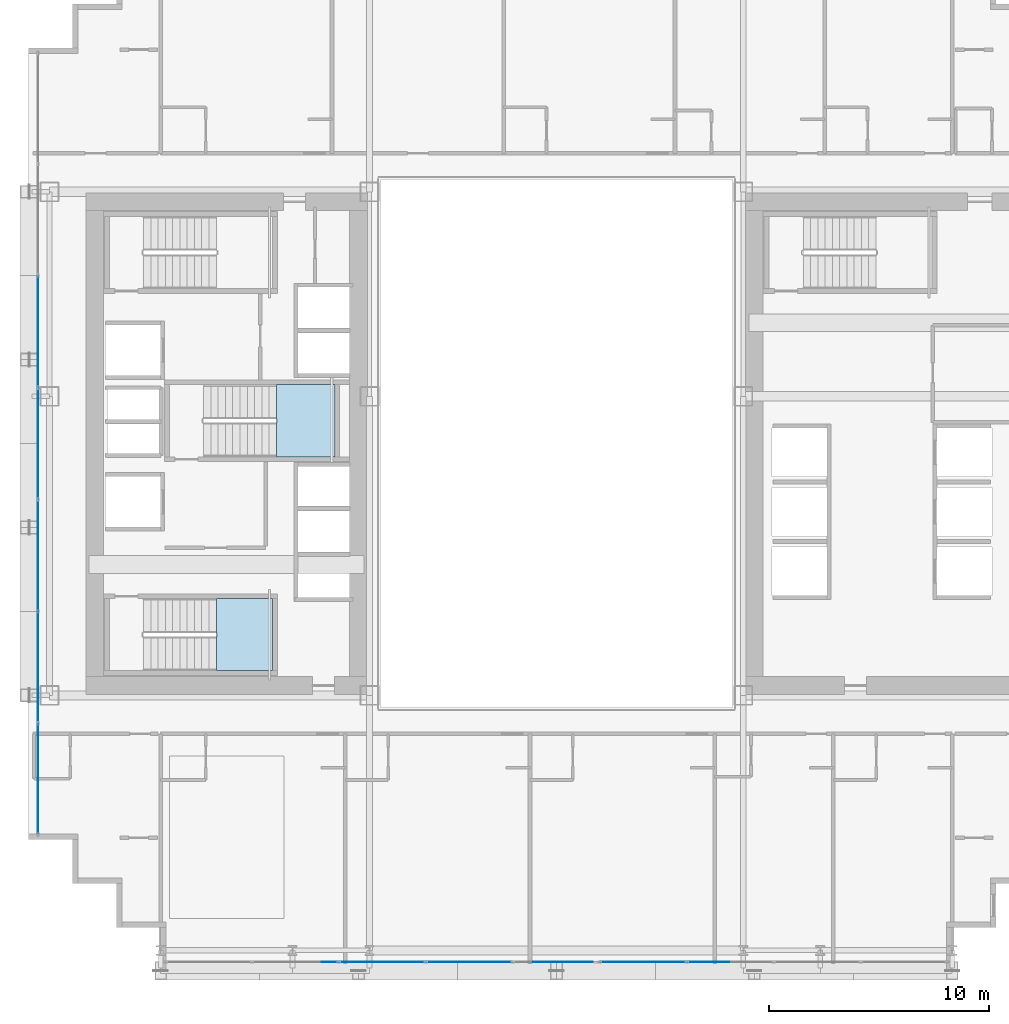
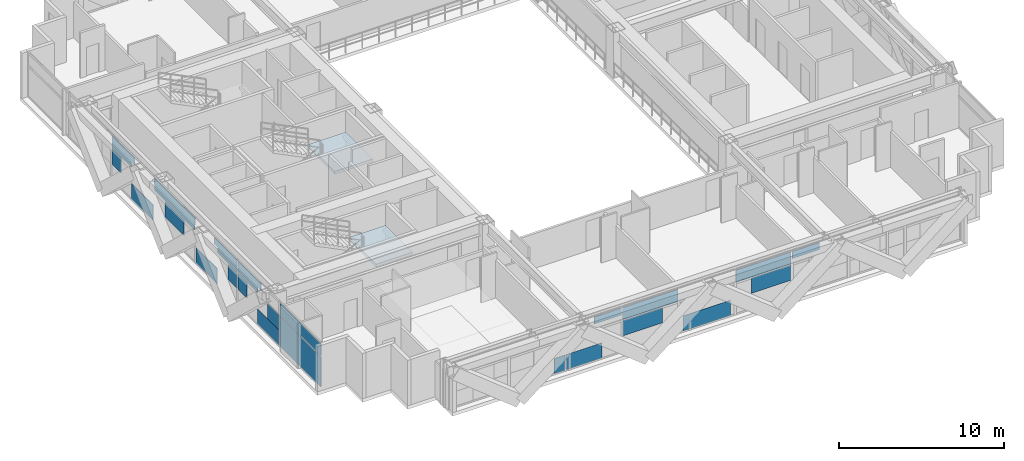
# One storey, part 24 of 38: 27 plates, 2 slabs, 4 elements without a shape of their own.
"""IFC4 building model written with IfcOpenShell, lengths in metres."""

from ifc_helpers import new_model, si_unit, direction, frame, origin, origin_2d, place, context, subcontext, project, spatial, polyline, rectangle, outline, extrude, source, transform, mapped, material, layer, layer_set, type_object, element, aggregate, save


model = new_model("IFC4")

# Units and contexts
model_context = context("Model", 3, precision=1e-05, world=origin(), true_north=direction((0.0, 1.0)))
body_context = subcontext(model_context, "Body", "Model", "MODEL_VIEW")
ifc_project = project(units=[si_unit("LENGTHUNIT", "METRE"), si_unit("AREAUNIT", "SQUARE_METRE"), si_unit("VOLUMEUNIT", "CUBIC_METRE"), si_unit("PLANEANGLEUNIT", "RADIAN"), si_unit("MASSUNIT", "GRAM", prefix="KILO")], contexts=[model_context])

# Site, building, storey
site_placement = place(None, origin())
site = spatial("IfcSite", under=ifc_project, at=site_placement, CompositionType="ELEMENT")
building_placement = place(site_placement, origin())
building = spatial("IfcBuilding", under=site, at=building_placement, Name="Ocotamira Hotel", CompositionType="ELEMENT")
storey_placement = place(building_placement, frame((0.0, 0.0, 60.0)))
storey = spatial("IfcBuildingStorey", under=building, at=storey_placement, Name="L14", CompositionType="ELEMENT", Elevation=60.0)

# Stair, slab
ifc_material_1 = material(Name="Concrete C40/50", Category="concrete")
stair_type = type_object("IfcStairType", Name="ST-CORE-1560", PredefinedType="HALF_TURN_STAIR", material=ifc_material_1)
stair_1_placement = place(storey_placement, origin())
stair_1 = element("IfcStair", 1, at=stair_1_placement, inside=storey, type_object=stair_type, Name="L14 Exit Stair ST-1", PredefinedType="HALF_TURN_STAIR")
ifc_layer_1 = layer(ifc_material_1, 0.199951171875)
ifc_layer_set_1 = layer_set([ifc_layer_1], Name="Concrete C40/50")
slab_type = type_object("IfcSlabType", Name="SLB-LAND-200", PredefinedType="LANDING", material=ifc_layer_set_1)
slab_1_placement = place(storey_placement, frame((0.0, 0.0, 1.60009765625)))
slab_1 = element("IfcSlab", 2, at=slab_1_placement, type_object=slab_type, Name="ST-1 landing 1", PredefinedType="LANDING", context=body_context, shape_type="SweptSolid", body=[
    extrude(outline(polyline([(16.530029296875, 15.669921875), (19.090087890625, 15.669921875), (19.090087890625, 18.949951171875), (16.530029296875, 18.949951171875), (16.530029296875, 15.669921875)])), origin(), (0.0, 0.0, 1.0), 0.199951171875),
])
aggregate(stair_1, [slab_1])

stair_2_placement = place(storey_placement, origin())
stair_2 = element("IfcStair", 3, at=stair_2_placement, inside=storey, type_object=stair_type, Name="L14 Exit Stair ST-3", PredefinedType="HALF_TURN_STAIR")
slab_2_placement = place(storey_placement, frame((0.0, 0.0, 1.60009765625)))
slab_2 = element("IfcSlab", 4, at=slab_2_placement, type_object=slab_type, Name="ST-3 landing 1", PredefinedType="LANDING", context=body_context, shape_type="SweptSolid", body=[
    extrude(outline(polyline([(19.260009765625, 25.39990234375), (21.919921875, 25.39990234375), (21.919921875, 28.679931640625), (19.260009765625, 28.679931640625), (19.260009765625, 25.39990234375)])), origin(), (0.0, 0.0, 1.0), 0.199951171875),
])
aggregate(stair_2, [slab_2])

# Curtain wall, plates
ifc_material_2 = material(Name="Anodised pale-metal aluminium and solar glass", Category="aluminium")
ifc_layer_2 = layer(ifc_material_2, 0.179931640625)
ifc_layer_set_2 = layer_set([ifc_layer_2], Name="Anodised pale-metal aluminium and solar glass")
curtain_wall_type = type_object("IfcCurtainWallType", Name="CW-SYS2-Z1", PredefinedType="NOTDEFINED", material=ifc_layer_set_2)
curtain_wall_1_placement = place(storey_placement, origin())
curtain_wall_1 = element("IfcCurtainWall", 5, at=curtain_wall_1_placement, inside=storey, type_object=curtain_wall_type, Name="L14 Curtain Wall CW-2 CW-L14-S1", PredefinedType="NOTDEFINED")
ifc_material_3 = material(Name="Double-silver low-E insulated solar glass", Category="glass")
ifc_layer_3 = layer(ifc_material_3, 0.031982421875)
ifc_layer_set_3 = layer_set([ifc_layer_3], Name="Double-silver low-E insulated solar glass")
plate_type = type_object("IfcPlateType", Name="CWP-VISION-32", PredefinedType="CURTAIN_PANEL", material=ifc_layer_set_3)
shared_shape_1 = source(origin(), body_context, "Body", "SweptSolid", [
    extrude(rectangle(XDim=3.87548828125, YDim=0.031982421875, at=origin_2d()), origin(), (0.0, 0.0, 1.0), 0.887451171875),
])
plate_1_placement = place(storey_placement, frame((28.04443359375, 2.419921875, 2.3876953125), z_axis=(0.0, 0.0, 1.0), x_axis=(1.0, 0.0, 0.0)))
plate_1 = element("IfcPlate", 6, at=plate_1_placement, type_object=plate_type, Name="CW-2 panel 4.2", PredefinedType="CURTAIN_PANEL", context=body_context, shape_type="MappedRepresentation", body=[
    mapped(shared_shape_1, transform((0.0, 0.0, 0.0), scale=1.0)),
])
plate_2_placement = place(storey_placement, frame((35.95556640625, 2.419921875, 2.3876953125), z_axis=(0.0, 0.0, 1.0), x_axis=(1.0, 0.0, 0.0)))
plate_2 = element("IfcPlate", 7, at=plate_2_placement, type_object=plate_type, Name="CW-2 panel 6.2", PredefinedType="CURTAIN_PANEL", context=body_context, shape_type="MappedRepresentation", body=[
    mapped(shared_shape_1, transform((0.0, 0.0, 0.0), scale=1.0)),
])

curtain_wall_2_placement = place(storey_placement, origin())
curtain_wall_2 = element("IfcCurtainWall", 8, at=curtain_wall_2_placement, inside=storey, type_object=curtain_wall_type, Name="L14 Curtain Wall CW-2 CW-L14-W", PredefinedType="NOTDEFINED")
shared_shape_2 = source(origin(), body_context, "Body", "SweptSolid", [
    extrude(rectangle(XDim=4.9658203125, YDim=0.031982421875, at=origin_2d()), origin(), (0.0, 0.0, 1.0), 2.237548828125),
])
plate_3_placement = place(storey_placement, frame((8.419921875, 10.762939453125, 0.0751953125), z_axis=(0.0, 0.0, 1.0), x_axis=(0.0, 1.0, 0.0)))
plate_3 = element("IfcPlate", 9, at=plate_3_placement, type_object=plate_type, Name="CW-2 panel 1.1", PredefinedType="CURTAIN_PANEL", context=body_context, shape_type="MappedRepresentation", body=[
    mapped(shared_shape_2, transform((0.0, 0.0, 0.0), scale=1.0)),
])
shared_shape_3 = source(origin(), body_context, "Body", "SweptSolid", [
    extrude(rectangle(XDim=4.9658203125, YDim=0.031982421875, at=origin_2d()), origin(), (0.0, 0.0, 1.0), 0.887451171875),
])
plate_4_placement = place(storey_placement, frame((8.419921875, 10.762939453125, 2.3876953125), z_axis=(0.0, 0.0, 1.0), x_axis=(0.0, 1.0, 0.0)))
plate_4 = element("IfcPlate", 10, at=plate_4_placement, type_object=plate_type, Name="CW-2 panel 1.2", PredefinedType="CURTAIN_PANEL", context=body_context, shape_type="MappedRepresentation", body=[
    mapped(shared_shape_3, transform((0.0, 0.0, 0.0), scale=1.0)),
])
shared_shape_4 = source(origin(), body_context, "Body", "SweptSolid", [
    extrude(rectangle(XDim=2.27978515625, YDim=0.031982421875, at=origin_2d()), origin(), (0.0, 0.0, 1.0), 1.11865234375),
])
plate_5_placement = place(storey_placement, frame((8.419921875, 26.0, 1.19384765625), z_axis=(0.0, 0.0, 1.0), x_axis=(0.0, 1.0, 0.0)))
plate_5 = element("IfcPlate", 11, at=plate_5_placement, type_object=plate_type, Name="CW-2 panel 4.1.1", PredefinedType="CURTAIN_PANEL", context=body_context, shape_type="MappedRepresentation", body=[
    mapped(shared_shape_4, transform((0.0, 0.0, 0.0), scale=1.0)),
])

# Plate
shared_shape_5 = source(origin(), body_context, "Body", "SweptSolid", [
    extrude(rectangle(XDim=0.733642578125, YDim=0.031982421875, at=origin_2d()), origin(), (0.0, 0.0, 1.0), 1.11865234375),
])
plate_6_placement = place(storey_placement, frame((21.704345703125, 2.419921875, 0.0751953125), z_axis=(0.0, 0.0, 1.0), x_axis=(1.0, 0.0, 0.0)))
plate_6 = element("IfcPlate", 12, at=plate_6_placement, type_object=plate_type, Name="CW-2 panel 2.1.2", PredefinedType="CURTAIN_PANEL", context=body_context, shape_type="MappedRepresentation", body=[
    mapped(shared_shape_5, transform((0.0, 0.0, 0.0), scale=1.0)),
])

shared_shape_6 = source(origin(), body_context, "Body", "SweptSolid", [
    extrude(rectangle(XDim=2.51123046875, YDim=0.031982421875, at=origin_2d()), origin(), (0.0, 0.0, 1.0), 1.11865234375),
])
plate_7_placement = place(storey_placement, frame((23.40673828125, 2.419921875, 0.0751953125), z_axis=(0.0, 0.0, 1.0), x_axis=(1.0, 0.0, 0.0)))
plate_7 = element("IfcPlate", 13, at=plate_7_placement, type_object=plate_type, Name="CW-2 panel 3.1.1", PredefinedType="CURTAIN_PANEL", context=body_context, shape_type="MappedRepresentation", body=[
    mapped(shared_shape_6, transform((0.0, 0.0, 0.0), scale=1.0)),
])

shared_shape_7 = source(origin(), body_context, "Body", "SweptSolid", [
    extrude(rectangle(XDim=1.88671875, YDim=0.031982421875, at=origin_2d()), origin(), (0.0, 0.0, 1.0), 0.5107421875),
])
plate_8_placement = place(storey_placement, frame((25.08349609375, 2.419921875, 2.76416015625), z_axis=(0.0, 0.0, 1.0), x_axis=(1.0, 0.0, 0.0)))
plate_8 = element("IfcPlate", 14, at=plate_8_placement, type_object=plate_type, Name="CW-2 panel 3.2.1", PredefinedType="CURTAIN_PANEL", context=body_context, shape_type="MappedRepresentation", body=[
    mapped(shared_shape_7, transform((0.0, 0.0, 0.0), scale=1.0)),
])

plate_9_placement = place(storey_placement, frame((38.91650390625, 2.419921875, 2.76416015625), z_axis=(0.0, 0.0, 1.0), x_axis=(1.0, 0.0, 0.0)))
plate_9 = element("IfcPlate", 15, at=plate_9_placement, type_object=plate_type, Name="CW-2 panel 7.2.1", PredefinedType="CURTAIN_PANEL", context=body_context, shape_type="MappedRepresentation", body=[
    mapped(shared_shape_7, transform((0.0, 0.0, 0.0), scale=1.0)),
])

shared_shape_8 = source(origin(), body_context, "Body", "SweptSolid", [
    extrude(rectangle(XDim=2.790283203125, YDim=0.031982421875, at=origin_2d()), origin(), (0.0, 0.0, 1.0), 1.11865234375),
])
plate_10_placement = place(storey_placement, frame((27.501708984375, 2.419921875, 1.19384765625), z_axis=(0.0, 0.0, 1.0), x_axis=(1.0, 0.0, 0.0)))
plate_10 = element("IfcPlate", 16, at=plate_10_placement, type_object=plate_type, Name="CW-2 panel 4.1.1", PredefinedType="CURTAIN_PANEL", context=body_context, shape_type="MappedRepresentation", body=[
    mapped(shared_shape_8, transform((0.0, 0.0, 0.0), scale=1.0)),
])

plate_11_placement = place(storey_placement, frame((36.498291015625, 2.419921875, 1.19384765625), z_axis=(0.0, 0.0, 1.0), x_axis=(1.0, 0.0, 0.0)))
plate_11 = element("IfcPlate", 17, at=plate_11_placement, type_object=plate_type, Name="CW-2 panel 6.1.1", PredefinedType="CURTAIN_PANEL", context=body_context, shape_type="MappedRepresentation", body=[
    mapped(shared_shape_8, transform((0.0, 0.0, 0.0), scale=1.0)),
])

shared_shape_9 = source(origin(), body_context, "Body", "SweptSolid", [
    extrude(rectangle(XDim=3.324951171875, YDim=0.031982421875, at=origin_2d()), origin(), (0.0, 0.0, 1.0), 1.11865234375),
])
plate_12_placement = place(storey_placement, frame((32.0, 2.419921875, 0.0751953125), z_axis=(0.0, 0.0, 1.0), x_axis=(1.0, 0.0, 0.0)))
plate_12 = element("IfcPlate", 18, at=plate_12_placement, type_object=plate_type, Name="CW-2 panel 5.1.1", PredefinedType="CURTAIN_PANEL", context=body_context, shape_type="MappedRepresentation", body=[
    mapped(shared_shape_9, transform((0.0, 0.0, 0.0), scale=1.0)),
])

aggregate(curtain_wall_1, [plate_6, plate_7, plate_8, plate_10, plate_1, plate_12, plate_11, plate_2, plate_9])

shared_shape_10 = source(origin(), body_context, "Body", "SweptSolid", [
    extrude(rectangle(XDim=2.58935546875, YDim=0.031982421875, at=origin_2d()), origin(), (0.0, 0.0, 1.0), 1.11865234375),
])
plate_13_placement = place(storey_placement, frame((8.419921875, 14.620361328125, 0.0751953125), z_axis=(0.0, 0.0, 1.0), x_axis=(0.0, 1.0, 0.0)))
plate_13 = element("IfcPlate", 19, at=plate_13_placement, type_object=plate_type, Name="CW-2 panel 2.1.1", PredefinedType="CURTAIN_PANEL", context=body_context, shape_type="MappedRepresentation", body=[
    mapped(shared_shape_10, transform((0.0, 0.0, 0.0), scale=1.0)),
])

shared_shape_11 = source(origin(), body_context, "Body", "SweptSolid", [
    extrude(rectangle(XDim=1.4033203125, YDim=0.031982421875, at=origin_2d()), origin(), (0.0, 0.0, 1.0), 1.11865234375),
])
plate_14_placement = place(storey_placement, frame((8.419921875, 14.02734375, 1.19384765625), z_axis=(0.0, 0.0, 1.0), x_axis=(0.0, 1.0, 0.0)))
plate_14 = element("IfcPlate", 20, at=plate_14_placement, type_object=plate_type, Name="CW-2 panel 2.1.2", PredefinedType="CURTAIN_PANEL", context=body_context, shape_type="MappedRepresentation", body=[
    mapped(shared_shape_11, transform((0.0, 0.0, 0.0), scale=1.0)),
])

shared_shape_12 = source(origin(), body_context, "Body", "SweptSolid", [
    extrude(rectangle(XDim=1.104736328125, YDim=0.031982421875, at=origin_2d()), origin(), (0.0, 0.0, 1.0), 1.11865234375),
])
plate_15_placement = place(storey_placement, frame((8.419921875, 17.779052734375, 1.19384765625), z_axis=(0.0, 0.0, 1.0), x_axis=(0.0, 1.0, 0.0)))
plate_15 = element("IfcPlate", 21, at=plate_15_placement, type_object=plate_type, Name="CW-2 panel 2.1.3", PredefinedType="CURTAIN_PANEL", context=body_context, shape_type="MappedRepresentation", body=[
    mapped(shared_shape_12, transform((0.0, 0.0, 0.0), scale=1.0)),
])

shared_shape_13 = source(origin(), body_context, "Body", "SweptSolid", [
    extrude(rectangle(XDim=2.796630859375, YDim=0.031982421875, at=origin_2d()), origin(), (0.0, 0.0, 1.0), 0.485107421875),
])
plate_16_placement = place(storey_placement, frame((8.419921875, 16.93310546875, 2.7900390625), z_axis=(0.0, 0.0, 1.0), x_axis=(0.0, 1.0, 0.0)))
plate_16 = element("IfcPlate", 22, at=plate_16_placement, type_object=plate_type, Name="CW-2 panel 2.2.1", PredefinedType="CURTAIN_PANEL", context=body_context, shape_type="MappedRepresentation", body=[
    mapped(shared_shape_13, transform((0.0, 0.0, 0.0), scale=1.0)),
])

shared_shape_14 = source(origin(), body_context, "Body", "SweptSolid", [
    extrude(rectangle(XDim=2.3701171875, YDim=0.031982421875, at=origin_2d()), origin(), (0.0, 0.0, 1.0), 0.367919921875),
])
plate_17_placement = place(storey_placement, frame((8.419921875, 17.146240234375, 2.3876953125), z_axis=(0.0, 0.0, 1.0), x_axis=(0.0, 1.0, 0.0)))
plate_17 = element("IfcPlate", 23, at=plate_17_placement, type_object=plate_type, Name="CW-2 panel 2.2.2", PredefinedType="CURTAIN_PANEL", context=body_context, shape_type="MappedRepresentation", body=[
    mapped(shared_shape_14, transform((0.0, 0.0, 0.0), scale=1.0)),
])

shared_shape_15 = source(origin(), body_context, "Body", "SweptSolid", [
    extrude(rectangle(XDim=1.094970703125, YDim=0.031982421875, at=origin_2d()), origin(), (0.0, 0.0, 1.0), 1.11865234375),
])
plate_18_placement = place(storey_placement, frame((8.419921875, 18.958984375, 1.19384765625), z_axis=(0.0, 0.0, 1.0), x_axis=(0.0, 1.0, 0.0)))
plate_18 = element("IfcPlate", 24, at=plate_18_placement, type_object=plate_type, Name="CW-2 panel 3.1.1", PredefinedType="CURTAIN_PANEL", context=body_context, shape_type="MappedRepresentation", body=[
    mapped(shared_shape_15, transform((0.0, 0.0, 0.0), scale=1.0)),
])

plate_19_placement = place(storey_placement, frame((8.419921875, 33.041015625, 1.19384765625), z_axis=(0.0, 0.0, 1.0), x_axis=(0.0, 1.0, 0.0)))
plate_19 = element("IfcPlate", 25, at=plate_19_placement, type_object=plate_type, Name="CW-2 panel 5.1.2", PredefinedType="CURTAIN_PANEL", context=body_context, shape_type="MappedRepresentation", body=[
    mapped(shared_shape_15, transform((0.0, 0.0, 0.0), scale=1.0)),
])

shared_shape_16 = source(origin(), body_context, "Body", "SweptSolid", [
    extrude(rectangle(XDim=2.59912109375, YDim=0.031982421875, at=origin_2d()), origin(), (0.0, 0.0, 1.0), 1.11865234375),
])
plate_20_placement = place(storey_placement, frame((8.419921875, 22.11767578125, 0.0751953125), z_axis=(0.0, 0.0, 1.0), x_axis=(0.0, 1.0, 0.0)))
plate_20 = element("IfcPlate", 26, at=plate_20_placement, type_object=plate_type, Name="CW-2 panel 3.1.2", PredefinedType="CURTAIN_PANEL", context=body_context, shape_type="MappedRepresentation", body=[
    mapped(shared_shape_16, transform((0.0, 0.0, 0.0), scale=1.0)),
])

plate_21_placement = place(storey_placement, frame((8.419921875, 29.88232421875, 0.0751953125), z_axis=(0.0, 0.0, 1.0), x_axis=(0.0, 1.0, 0.0)))
plate_21 = element("IfcPlate", 27, at=plate_21_placement, type_object=plate_type, Name="CW-2 panel 5.1.1", PredefinedType="CURTAIN_PANEL", context=body_context, shape_type="MappedRepresentation", body=[
    mapped(shared_shape_16, transform((0.0, 0.0, 0.0), scale=1.0)),
])

shared_shape_17 = source(origin(), body_context, "Body", "SweptSolid", [
    extrude(rectangle(XDim=2.360595703125, YDim=0.031982421875, at=origin_2d()), origin(), (0.0, 0.0, 1.0), 0.367919921875),
])
plate_22_placement = place(storey_placement, frame((8.419921875, 19.591796875, 2.3876953125), z_axis=(0.0, 0.0, 1.0), x_axis=(0.0, 1.0, 0.0)))
plate_22 = element("IfcPlate", 28, at=plate_22_placement, type_object=plate_type, Name="CW-2 panel 3.2.1", PredefinedType="CURTAIN_PANEL", context=body_context, shape_type="MappedRepresentation", body=[
    mapped(shared_shape_17, transform((0.0, 0.0, 0.0), scale=1.0)),
])

plate_23_placement = place(storey_placement, frame((8.419921875, 32.408203125, 2.3876953125), z_axis=(0.0, 0.0, 1.0), x_axis=(0.0, 1.0, 0.0)))
plate_23 = element("IfcPlate", 29, at=plate_23_placement, type_object=plate_type, Name="CW-2 panel 5.2.2", PredefinedType="CURTAIN_PANEL", context=body_context, shape_type="MappedRepresentation", body=[
    mapped(shared_shape_17, transform((0.0, 0.0, 0.0), scale=1.0)),
])

shared_shape_18 = source(origin(), body_context, "Body", "SweptSolid", [
    extrude(rectangle(XDim=2.787109375, YDim=0.031982421875, at=origin_2d()), origin(), (0.0, 0.0, 1.0), 0.485107421875),
])
plate_24_placement = place(storey_placement, frame((8.419921875, 19.804931640625, 2.7900390625), z_axis=(0.0, 0.0, 1.0), x_axis=(0.0, 1.0, 0.0)))
plate_24 = element("IfcPlate", 30, at=plate_24_placement, type_object=plate_type, Name="CW-2 panel 3.2.2", PredefinedType="CURTAIN_PANEL", context=body_context, shape_type="MappedRepresentation", body=[
    mapped(shared_shape_18, transform((0.0, 0.0, 0.0), scale=1.0)),
])

plate_25_placement = place(storey_placement, frame((8.419921875, 32.195068359375, 2.7900390625), z_axis=(0.0, 0.0, 1.0), x_axis=(0.0, 1.0, 0.0)))
plate_25 = element("IfcPlate", 31, at=plate_25_placement, type_object=plate_type, Name="CW-2 panel 5.2.1", PredefinedType="CURTAIN_PANEL", context=body_context, shape_type="MappedRepresentation", body=[
    mapped(shared_shape_18, transform((0.0, 0.0, 0.0), scale=1.0)),
])

shared_shape_19 = source(origin(), body_context, "Body", "SweptSolid", [
    extrude(rectangle(XDim=5.005615234375, YDim=0.031982421875, at=origin_2d()), origin(), (0.0, 0.0, 1.0), 0.485107421875),
])
plate_26_placement = place(storey_placement, frame((8.419921875, 26.0, 2.7900390625), z_axis=(0.0, 0.0, 1.0), x_axis=(0.0, 1.0, 0.0)))
plate_26 = element("IfcPlate", 32, at=plate_26_placement, type_object=plate_type, Name="CW-2 panel 4.2.1", PredefinedType="CURTAIN_PANEL", context=body_context, shape_type="MappedRepresentation", body=[
    mapped(shared_shape_19, transform((0.0, 0.0, 0.0), scale=1.0)),
])

shared_shape_20 = source(origin(), body_context, "Body", "SweptSolid", [
    extrude(rectangle(XDim=4.81103515625, YDim=0.031982421875, at=origin_2d()), origin(), (0.0, 0.0, 1.0), 0.40234375),
])
plate_27_placement = place(storey_placement, frame((8.419921875, 26.0, 2.387451171875), z_axis=(0.0, 0.0, 1.0), x_axis=(0.0, 1.0, 0.0)))
plate_27 = element("IfcPlate", 33, at=plate_27_placement, type_object=plate_type, Name="CW-2 panel 4.2.2", PredefinedType="CURTAIN_PANEL", context=body_context, shape_type="MappedRepresentation", body=[
    mapped(shared_shape_20, transform((0.0, 0.0, 0.0), scale=1.0)),
])

aggregate(curtain_wall_2, [plate_3, plate_4, plate_13, plate_14, plate_15, plate_16, plate_17, plate_18, plate_20, plate_22, plate_24, plate_5, plate_26, plate_27, plate_21, plate_19, plate_25, plate_23])

save(model, "model.ifc")
